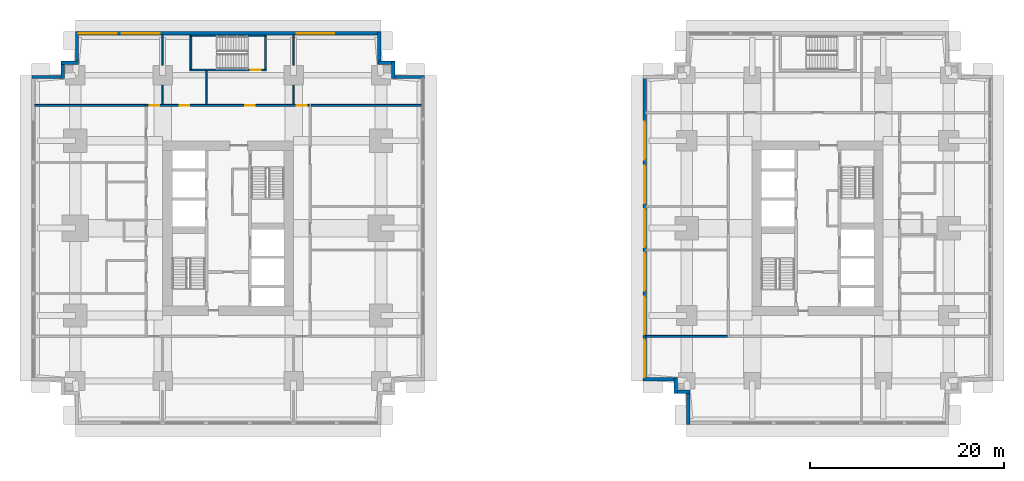
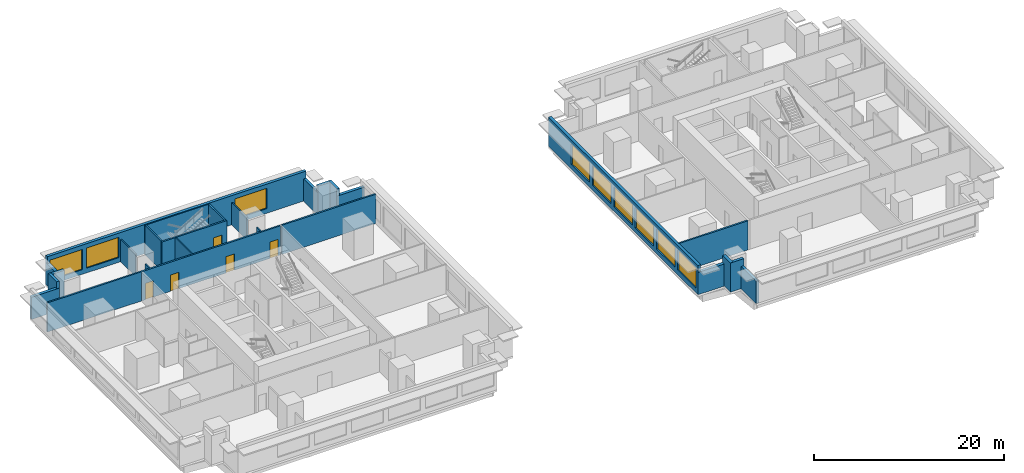
# One storey, part 5 of 11: 27 walls, 9 windows, 5 doors, 14 openings.
"""IFC4 building model written with IfcOpenShell, lengths in metres."""

from ifc_helpers import new_model, si_unit, direction, frame, frame_2d, origin, place, context, subcontext, project, spatial, rectangle, extrude, material, layer, layer_set, type_object, element, fill, save


model = new_model("IFC4")

# Units and contexts
model_context = context("Model", 3, precision=1e-05, world=origin(), true_north=direction((0.0, 1.0)))
body_context = subcontext(model_context, "Body", "Model", "MODEL_VIEW")
ifc_project = project(units=[si_unit("LENGTHUNIT", "METRE"), si_unit("AREAUNIT", "SQUARE_METRE"), si_unit("VOLUMEUNIT", "CUBIC_METRE"), si_unit("PLANEANGLEUNIT", "RADIAN"), si_unit("MASSUNIT", "GRAM", prefix="KILO")], contexts=[model_context])

# Site, building, storey
site_placement = place(None, origin())
site = spatial("IfcSite", under=ifc_project, at=site_placement, CompositionType="ELEMENT")
building_placement = place(site_placement, origin())
building = spatial("IfcBuilding", under=site, at=building_placement, Name="Namib Vertical Campus", CompositionType="ELEMENT")
storey_placement = place(building_placement, frame((0.0, 0.0, 53.0)))
storey = spatial("IfcBuildingStorey", under=building, at=storey_placement, Name="L12", CompositionType="ELEMENT", Elevation=53.0)

# Wall, openings, doors
ifc_material_1 = material(Name="Concrete masonry", Category="masonry")
ifc_layer_1 = layer(ifc_material_1, 0.199951171875)
ifc_layer_set_1 = layer_set([ifc_layer_1], Name="Corridor wall 200")
wall_type_1 = type_object("IfcWallType", Name="Corridor wall 200", PredefinedType="SOLIDWALL", material=ifc_layer_set_1)
wall_1_placement = place(storey_placement, frame((28.60009765625, 32.89990234375, 0.0), z_axis=(0.0, 0.0, 1.0), x_axis=(-1.0, 0.0, 0.0)))
wall_1 = element("IfcWall", 1, at=wall_1_placement, inside=storey, type_object=wall_type_1, Name="Corridor wall A L12 CN", PredefinedType="SOLIDWALL", context=body_context, shape_type="SweptSolid", body=[
    extrude(rectangle(XDim=16.900146484375, YDim=0.199951171875, at=frame_2d((8.4501953125, 0.0))), origin(), (0.0, 0.0, 1.0), 3.75),
])
opening_1_placement = place(wall_1_placement, frame((15.425048828125, 0.0, 0.0)))
opening_1 = element("IfcOpeningElement", 2, at=opening_1_placement, cuts=wall_1, Name="Opening CD1", PredefinedType="OPENING", context=body_context, shape_type="SweptSolid", body=[
    extrude(rectangle(XDim=1.0, YDim=2.10009765625, at=frame_2d((0.5, 1.050048828125))), frame((0.0, 0.10986328125, 0.0), z_axis=(0.0, -1.0, 0.0), x_axis=(1.0, 0.0, 0.0)), (0.0, 0.0, 1.0), 0.219970703125),
])
opening_2_placement = place(wall_1_placement, frame((12.35009765625, 0.0, 0.0)))
opening_2 = element("IfcOpeningElement", 3, at=opening_2_placement, cuts=wall_1, Name="Opening CD1", PredefinedType="OPENING", context=body_context, shape_type="SweptSolid", body=[
    extrude(rectangle(XDim=1.0, YDim=2.10009765625, at=frame_2d((0.5, 1.050048828125))), frame((0.0, 0.10986328125, 0.0), z_axis=(0.0, -1.0, 0.0), x_axis=(1.0, 0.0, 0.0)), (0.0, 0.0, 1.0), 0.219970703125),
])
opening_3_placement = place(wall_1_placement, frame((5.60009765625, 0.0, 0.0)))
opening_3 = element("IfcOpeningElement", 4, at=opening_3_placement, cuts=wall_1, Name="Opening CD1", PredefinedType="OPENING", context=body_context, shape_type="SweptSolid", body=[
    extrude(rectangle(XDim=1.0, YDim=2.10009765625, at=frame_2d((0.5, 1.050048828125))), frame((0.0, 0.10986328125, 0.0), z_axis=(0.0, -1.0, 0.0), x_axis=(1.0, 0.0, 0.0)), (0.0, 0.0, 1.0), 0.219970703125),
])
opening_4_placement = place(wall_1_placement, frame((0.27490234375, 0.0, 0.0)))
opening_4 = element("IfcOpeningElement", 5, at=opening_4_placement, cuts=wall_1, Name="Opening CD1", PredefinedType="OPENING", context=body_context, shape_type="SweptSolid", body=[
    extrude(rectangle(XDim=1.0, YDim=2.10009765625, at=frame_2d((0.5, 1.050048828125))), frame((0.0, 0.10986328125, 0.0), z_axis=(0.0, -1.0, 0.0), x_axis=(1.0, 0.0, 0.0)), (0.0, 0.0, 1.0), 0.219970703125),
])
ifc_material_2 = material(Name="Timber fire door leaf", Category="wood")
door_type_1 = type_object("IfcDoorType", Name="Corridor door 1000x2100 20 min", OperationType="SINGLE_SWING_LEFT", PredefinedType="DOOR", material=ifc_material_2)
door_1_placement = place(opening_1_placement, frame((1.0, 0.0, 0.0), z_axis=(0.0, 0.0, 1.0), x_axis=(-1.0, 0.0, 0.0)))
door_1 = element("IfcDoor", 6, at=door_1_placement, inside=storey, type_object=door_type_1, Name="Door CD1 A12-07", OperationType="SINGLE_SWING_RIGHT", OverallHeight=2.10009765625, OverallWidth=1.0, PredefinedType="DOOR", context=body_context, shape_type="SweptSolid", body=[
    extrude(rectangle(XDim=1.0, YDim=2.10009765625, at=frame_2d((0.5, 1.050048828125))), frame((0.0, 0.02490234375, 0.0), z_axis=(0.0, -1.0, 0.0), x_axis=(1.0, 0.0, 0.0)), (0.0, 0.0, 1.0), 0.050048828125),
])
fill(opening_1, door_1)
door_2_placement = place(opening_2_placement, frame((1.0, 0.0, 0.0), z_axis=(0.0, 0.0, 1.0), x_axis=(-1.0, 0.0, 0.0)))
door_2 = element("IfcDoor", 7, at=door_2_placement, inside=storey, type_object=door_type_1, Name="Door CD1 A12-08", OperationType="SINGLE_SWING_RIGHT", OverallHeight=2.10009765625, OverallWidth=1.0, PredefinedType="DOOR", context=body_context, shape_type="SweptSolid", body=[
    extrude(rectangle(XDim=1.0, YDim=2.10009765625, at=frame_2d((0.5, 1.050048828125))), frame((0.0, 0.02490234375, 0.0), z_axis=(0.0, -1.0, 0.0), x_axis=(1.0, 0.0, 0.0)), (0.0, 0.0, 1.0), 0.050048828125),
])
fill(opening_2, door_2)
door_3_placement = place(opening_3_placement, frame((1.0, 0.0, 0.0), z_axis=(0.0, 0.0, 1.0), x_axis=(-1.0, 0.0, 0.0)))
door_3 = element("IfcDoor", 8, at=door_3_placement, inside=storey, type_object=door_type_1, Name="Door CD1 A12-09", OperationType="SINGLE_SWING_RIGHT", OverallHeight=2.10009765625, OverallWidth=1.0, PredefinedType="DOOR", context=body_context, shape_type="SweptSolid", body=[
    extrude(rectangle(XDim=1.0, YDim=2.10009765625, at=frame_2d((0.5, 1.050048828125))), frame((0.0, 0.02490234375, 0.0), z_axis=(0.0, -1.0, 0.0), x_axis=(1.0, 0.0, 0.0)), (0.0, 0.0, 1.0), 0.050048828125),
])
fill(opening_3, door_3)
door_4_placement = place(opening_4_placement, frame((1.0, 0.0, 0.0), z_axis=(0.0, 0.0, 1.0), x_axis=(-1.0, 0.0, 0.0)))
door_4 = element("IfcDoor", 9, at=door_4_placement, inside=storey, type_object=door_type_1, Name="Door CD1 A12-10", OperationType="SINGLE_SWING_LEFT", OverallHeight=2.10009765625, OverallWidth=1.0, PredefinedType="DOOR", context=body_context, shape_type="SweptSolid", body=[
    extrude(rectangle(XDim=1.0, YDim=2.10009765625, at=frame_2d((0.5, 1.050048828125))), frame((0.0, 0.02490234375, 0.0), z_axis=(0.0, -1.0, 0.0), x_axis=(1.0, 0.0, 0.0)), (0.0, 0.0, 1.0), 0.050048828125),
])
fill(opening_4, door_4)

# Walls
for number, where, z_axis, x_axis, name in (
    (10, (0.300048828125, 32.89990234375, 0.0), (0.0, 0.0, 1.0), (1.0, 0.0, 0.0), "Partition A L12 BNW"),
    (11, (28.800048828125, 32.89990234375, 0.0), (0.0, 0.0, 1.0), (1.0, 0.0, 0.0), "Partition A L12 BNE"),
):
    element("IfcWall", number, at=place(storey_placement, frame(where, z_axis=z_axis, x_axis=x_axis)), inside=storey, type_object=wall_type_1, Name=name, PredefinedType="SOLIDWALL", context=body_context, shape_type="SweptSolid", body=[
        extrude(rectangle(XDim=11.39990234375, YDim=0.199951171875, at=frame_2d((5.699951171875, 0.0))), origin(), (0.0, 0.0, 1.0), 3.75),
    ])
wall_2_placement = place(storey_placement, frame((63.300048828125, 9.10009765625, 0.0), z_axis=(0.0, 0.0, 1.0), x_axis=(1.0, 0.0, 0.0)))
element("IfcWall", 12, at=wall_2_placement, inside=storey, type_object=wall_type_1, Name="Partition B L12 BSW", PredefinedType="SOLIDWALL", context=body_context, shape_type="SweptSolid", body=[
    extrude(rectangle(XDim=8.39990234375, YDim=0.199951171875, at=frame_2d((4.199951171875, 0.0))), origin(), (0.0, 0.0, 1.0), 3.75),
])
ifc_material_3 = material(Name="Concrete C40/50", Category="concrete")
ifc_layer_2 = layer(ifc_material_3, 0.35009765625)
ifc_layer_set_2 = layer_set([ifc_layer_2], Name="Concrete C40/50")
wall_type_2 = type_object("IfcWallType", Name="External wall 350 bush-hammered concrete", PredefinedType="STANDARD", material=ifc_layer_set_2)
wall_3_placement = place(storey_placement, frame((40.47998046875, 35.824951171875, 0.0), z_axis=(0.0, 0.0, 1.0), x_axis=(-1.0, 0.0, 0.0)))
element("IfcWall", 13, at=wall_3_placement, inside=storey, type_object=wall_type_2, Name="External wall L12 F07", PredefinedType="STANDARD", context=body_context, shape_type="SweptSolid", body=[
    extrude(rectangle(XDim=3.35986328125, YDim=0.35009765625, at=frame_2d((1.679931640625, 0.0))), origin(), (0.0, 0.0, 1.0), 2.85009765625),
])
for number, where, z_axis, x_axis, name in (
    (14, (37.27490234375, 35.669921875, 0.0), (0.0, 0.0, 1.0), (0.0, 1.0, 0.0), "External wall L12 F08"),
    (15, (37.429931640625, 37.27490234375, 0.0), (0.0, 0.0, 1.0), (-1.0, 0.0, 0.0), "External wall L12 F09"),
):
    element("IfcWall", number, at=place(storey_placement, frame(where, z_axis=z_axis, x_axis=x_axis)), inside=storey, type_object=wall_type_2, Name=name, PredefinedType="STANDARD", context=body_context, shape_type="SweptSolid", body=[
        extrude(rectangle(XDim=1.760009765625, YDim=0.35009765625, at=frame_2d((0.8798828125, 0.0))), origin(), (0.0, 0.0, 1.0), 3.75),
    ])
wall_4_placement = place(storey_placement, frame((35.824951171875, 37.1201171875, 0.0), z_axis=(0.0, 0.0, 1.0), x_axis=(0.0, 1.0, 0.0)))
element("IfcWall", 16, at=wall_4_placement, inside=storey, type_object=wall_type_2, Name="External wall L12 F10", PredefinedType="STANDARD", context=body_context, shape_type="SweptSolid", body=[
    extrude(rectangle(XDim=3.35986328125, YDim=0.35009765625, at=frame_2d((1.679931640625, 0.0))), origin(), (0.0, 0.0, 1.0), 2.85009765625),
])

# Wall, openings, windows
wall_5_placement = place(storey_placement, frame((35.97998046875, 40.324951171875, 0.0), z_axis=(0.0, 0.0, 1.0), x_axis=(-1.0, 0.0, 0.0)))
wall_5 = element("IfcWall", 17, at=wall_5_placement, inside=storey, type_object=wall_type_2, Name="External wall L12 F11", PredefinedType="STANDARD", context=body_context, shape_type="SweptSolid", body=[
    extrude(rectangle(XDim=31.4599609375, YDim=0.35009765625, at=frame_2d((15.72998046875, 0.0))), origin(), (0.0, 0.0, 1.0), 3.75),
])
opening_5_placement = place(wall_5_placement, frame((27.2099609375, 0.0, 0.60009765625)))
opening_5 = element("IfcOpeningElement", 18, at=opening_5_placement, cuts=wall_5, Name="Opening W2", PredefinedType="OPENING", context=body_context, shape_type="SweptSolid", body=[
    extrude(rectangle(XDim=3.89990234375, YDim=2.60009765625, at=frame_2d((1.949951171875, 1.300048828125))), frame((0.0, 0.18505859375, 0.0), z_axis=(0.0, -1.0, 0.0), x_axis=(1.0, 0.0, 0.0)), (0.0, 0.0, 1.0), 0.3701171875),
])
opening_6_placement = place(wall_5_placement, frame((22.780029296875, 0.0, 0.60009765625)))
opening_6 = element("IfcOpeningElement", 19, at=opening_6_placement, cuts=wall_5, Name="Opening W2", PredefinedType="OPENING", context=body_context, shape_type="SweptSolid", body=[
    extrude(rectangle(XDim=3.89990234375, YDim=2.60009765625, at=frame_2d((1.949951171875, 1.300048828125))), frame((0.0, 0.18505859375, 0.0), z_axis=(0.0, -1.0, 0.0), x_axis=(1.0, 0.0, 0.0)), (0.0, 0.0, 1.0), 0.3701171875),
])
opening_7_placement = place(wall_5_placement, frame((4.780029296875, 0.0, 0.60009765625)))
opening_7 = element("IfcOpeningElement", 20, at=opening_7_placement, cuts=wall_5, Name="Opening W2", PredefinedType="OPENING", context=body_context, shape_type="SweptSolid", body=[
    extrude(rectangle(XDim=3.89990234375, YDim=2.60009765625, at=frame_2d((1.949951171875, 1.300048828125))), frame((0.0, 0.18505859375, 0.0), z_axis=(0.0, -1.0, 0.0), x_axis=(1.0, 0.0, 0.0)), (0.0, 0.0, 1.0), 0.3701171875),
])
ifc_material_4 = material(Name="Dark tinted glass in black aluminium frame", Category="aluminium")
window_type = type_object("IfcWindowType", Name="Ribbon window 3900x2600", PartitioningType="SINGLE_PANEL", PredefinedType="WINDOW", material=ifc_material_4)
window_1_placement = place(opening_5_placement, origin())
window_1 = element("IfcWindow", 21, at=window_1_placement, inside=storey, type_object=window_type, Name="Window W2 L12 F11-1", OverallHeight=2.60009765625, OverallWidth=3.89990234375, PartitioningType="SINGLE_PANEL", PredefinedType="WINDOW", context=body_context, shape_type="SweptSolid", body=[
    extrude(rectangle(XDim=3.89990234375, YDim=2.60009765625, at=frame_2d((1.949951171875, 1.300048828125))), frame((0.0, 0.030029296875, 0.0), z_axis=(0.0, -1.0, 0.0), x_axis=(1.0, 0.0, 0.0)), (0.0, 0.0, 1.0), 0.06005859375),
])
fill(opening_5, window_1)
window_2_placement = place(opening_6_placement, origin())
window_2 = element("IfcWindow", 22, at=window_2_placement, inside=storey, type_object=window_type, Name="Window W2 L12 F11-2", OverallHeight=2.60009765625, OverallWidth=3.89990234375, PartitioningType="SINGLE_PANEL", PredefinedType="WINDOW", context=body_context, shape_type="SweptSolid", body=[
    extrude(rectangle(XDim=3.89990234375, YDim=2.60009765625, at=frame_2d((1.949951171875, 1.300048828125))), frame((0.0, 0.030029296875, 0.0), z_axis=(0.0, -1.0, 0.0), x_axis=(1.0, 0.0, 0.0)), (0.0, 0.0, 1.0), 0.06005859375),
])
fill(opening_6, window_2)
window_3_placement = place(opening_7_placement, origin())
window_3 = element("IfcWindow", 23, at=window_3_placement, inside=storey, type_object=window_type, Name="Window W2 L12 F11-6", OverallHeight=2.60009765625, OverallWidth=3.89990234375, PartitioningType="SINGLE_PANEL", PredefinedType="WINDOW", context=body_context, shape_type="SweptSolid", body=[
    extrude(rectangle(XDim=3.89990234375, YDim=2.60009765625, at=frame_2d((1.949951171875, 1.300048828125))), frame((0.0, 0.030029296875, 0.0), z_axis=(0.0, -1.0, 0.0), x_axis=(1.0, 0.0, 0.0)), (0.0, 0.0, 1.0), 0.06005859375),
])
fill(opening_7, window_3)

# Walls
wall_6_placement = place(storey_placement, frame((4.675048828125, 40.47998046875, 0.0), z_axis=(0.0, 0.0, 1.0), x_axis=(0.0, -1.0, 0.0)))
element("IfcWall", 24, at=wall_6_placement, inside=storey, type_object=wall_type_2, Name="External wall L12 F12", PredefinedType="STANDARD", context=body_context, shape_type="SweptSolid", body=[
    extrude(rectangle(XDim=3.35986328125, YDim=0.35009765625, at=frame_2d((1.679931640625, 0.0))), origin(), (0.0, 0.0, 1.0), 2.85009765625),
])
for number, where, z_axis, x_axis, name in (
    (25, (4.830078125, 37.27490234375, 0.0), (0.0, 0.0, 1.0), (-1.0, 0.0, 0.0), "External wall L12 F13"),
    (26, (3.22509765625, 37.429931640625, 0.0), (0.0, 0.0, 1.0), (0.0, -1.0, 0.0), "External wall L12 F14"),
):
    element("IfcWall", number, at=place(storey_placement, frame(where, z_axis=z_axis, x_axis=x_axis)), inside=storey, type_object=wall_type_2, Name=name, PredefinedType="STANDARD", context=body_context, shape_type="SweptSolid", body=[
        extrude(rectangle(XDim=1.760009765625, YDim=0.35009765625, at=frame_2d((0.8798828125, 0.0))), origin(), (0.0, 0.0, 1.0), 3.75),
    ])
wall_7_placement = place(storey_placement, frame((3.3798828125, 35.824951171875, 0.0), z_axis=(0.0, 0.0, 1.0), x_axis=(-1.0, 0.0, 0.0)))
element("IfcWall", 27, at=wall_7_placement, inside=storey, type_object=wall_type_2, Name="External wall L12 F15", PredefinedType="STANDARD", context=body_context, shape_type="SweptSolid", body=[
    extrude(rectangle(XDim=3.35986328125, YDim=0.35009765625, at=frame_2d((1.679931640625, 0.0))), origin(), (0.0, 0.0, 1.0), 2.85009765625),
])

# Wall, openings, windows
wall_8_placement = place(storey_placement, frame((63.175048828125, 35.97998046875, 0.0), z_axis=(0.0, 0.0, 1.0), x_axis=(0.0, -1.0, 0.0)))
wall_8 = element("IfcWall", 28, at=wall_8_placement, inside=storey, type_object=wall_type_2, Name="External wall L12 F16", PredefinedType="STANDARD", context=body_context, shape_type="SweptSolid", body=[
    extrude(rectangle(XDim=31.4599609375, YDim=0.35009765625, at=frame_2d((15.72998046875, 0.0))), origin(), (0.0, 0.0, 1.0), 3.75),
])
opening_8_placement = place(wall_8_placement, frame((27.2099609375, 0.0, 0.60009765625)))
opening_8 = element("IfcOpeningElement", 29, at=opening_8_placement, cuts=wall_8, Name="Opening W2", PredefinedType="OPENING", context=body_context, shape_type="SweptSolid", body=[
    extrude(rectangle(XDim=3.89990234375, YDim=2.60009765625, at=frame_2d((1.949951171875, 1.300048828125))), frame((0.0, 0.18505859375, 0.0), z_axis=(0.0, -1.0, 0.0), x_axis=(1.0, 0.0, 0.0)), (0.0, 0.0, 1.0), 0.3701171875),
])
opening_9_placement = place(wall_8_placement, frame((22.780029296875, 0.0, 0.60009765625)))
opening_9 = element("IfcOpeningElement", 30, at=opening_9_placement, cuts=wall_8, Name="Opening W2", PredefinedType="OPENING", context=body_context, shape_type="SweptSolid", body=[
    extrude(rectangle(XDim=3.89990234375, YDim=2.60009765625, at=frame_2d((1.949951171875, 1.300048828125))), frame((0.0, 0.18505859375, 0.0), z_axis=(0.0, -1.0, 0.0), x_axis=(1.0, 0.0, 0.0)), (0.0, 0.0, 1.0), 0.3701171875),
])
opening_10_placement = place(wall_8_placement, frame((18.280029296875, 0.0, 0.60009765625)))
opening_10 = element("IfcOpeningElement", 31, at=opening_10_placement, cuts=wall_8, Name="Opening W2", PredefinedType="OPENING", context=body_context, shape_type="SweptSolid", body=[
    extrude(rectangle(XDim=3.89990234375, YDim=2.60009765625, at=frame_2d((1.949951171875, 1.300048828125))), frame((0.0, 0.18505859375, 0.0), z_axis=(0.0, -1.0, 0.0), x_axis=(1.0, 0.0, 0.0)), (0.0, 0.0, 1.0), 0.3701171875),
])
opening_11_placement = place(wall_8_placement, frame((13.780029296875, 0.0, 0.60009765625)))
opening_11 = element("IfcOpeningElement", 32, at=opening_11_placement, cuts=wall_8, Name="Opening W2", PredefinedType="OPENING", context=body_context, shape_type="SweptSolid", body=[
    extrude(rectangle(XDim=3.89990234375, YDim=2.60009765625, at=frame_2d((1.949951171875, 1.300048828125))), frame((0.0, 0.18505859375, 0.0), z_axis=(0.0, -1.0, 0.0), x_axis=(1.0, 0.0, 0.0)), (0.0, 0.0, 1.0), 0.3701171875),
])
opening_12_placement = place(wall_8_placement, frame((9.280029296875, 0.0, 0.60009765625)))
opening_12 = element("IfcOpeningElement", 33, at=opening_12_placement, cuts=wall_8, Name="Opening W2", PredefinedType="OPENING", context=body_context, shape_type="SweptSolid", body=[
    extrude(rectangle(XDim=3.89990234375, YDim=2.60009765625, at=frame_2d((1.949951171875, 1.300048828125))), frame((0.0, 0.18505859375, 0.0), z_axis=(0.0, -1.0, 0.0), x_axis=(1.0, 0.0, 0.0)), (0.0, 0.0, 1.0), 0.3701171875),
])
opening_13_placement = place(wall_8_placement, frame((4.780029296875, 0.0, 0.60009765625)))
opening_13 = element("IfcOpeningElement", 34, at=opening_13_placement, cuts=wall_8, Name="Opening W2", PredefinedType="OPENING", context=body_context, shape_type="SweptSolid", body=[
    extrude(rectangle(XDim=3.89990234375, YDim=2.60009765625, at=frame_2d((1.949951171875, 1.300048828125))), frame((0.0, 0.18505859375, 0.0), z_axis=(0.0, -1.0, 0.0), x_axis=(1.0, 0.0, 0.0)), (0.0, 0.0, 1.0), 0.3701171875),
])
window_4_placement = place(opening_8_placement, origin())
window_4 = element("IfcWindow", 35, at=window_4_placement, inside=storey, type_object=window_type, Name="Window W2 L12 F16-1", OverallHeight=2.60009765625, OverallWidth=3.89990234375, PartitioningType="SINGLE_PANEL", PredefinedType="WINDOW", context=body_context, shape_type="SweptSolid", body=[
    extrude(rectangle(XDim=3.89990234375, YDim=2.60009765625, at=frame_2d((1.949951171875, 1.300048828125))), frame((0.0, 0.030029296875, 0.0), z_axis=(0.0, -1.0, 0.0), x_axis=(1.0, 0.0, 0.0)), (0.0, 0.0, 1.0), 0.06005859375),
])
fill(opening_8, window_4)
window_5_placement = place(opening_9_placement, origin())
window_5 = element("IfcWindow", 36, at=window_5_placement, inside=storey, type_object=window_type, Name="Window W2 L12 F16-2", OverallHeight=2.60009765625, OverallWidth=3.89990234375, PartitioningType="SINGLE_PANEL", PredefinedType="WINDOW", context=body_context, shape_type="SweptSolid", body=[
    extrude(rectangle(XDim=3.89990234375, YDim=2.60009765625, at=frame_2d((1.949951171875, 1.300048828125))), frame((0.0, 0.030029296875, 0.0), z_axis=(0.0, -1.0, 0.0), x_axis=(1.0, 0.0, 0.0)), (0.0, 0.0, 1.0), 0.06005859375),
])
fill(opening_9, window_5)
window_6_placement = place(opening_10_placement, origin())
window_6 = element("IfcWindow", 37, at=window_6_placement, inside=storey, type_object=window_type, Name="Window W2 L12 F16-3", OverallHeight=2.60009765625, OverallWidth=3.89990234375, PartitioningType="SINGLE_PANEL", PredefinedType="WINDOW", context=body_context, shape_type="SweptSolid", body=[
    extrude(rectangle(XDim=3.89990234375, YDim=2.60009765625, at=frame_2d((1.949951171875, 1.300048828125))), frame((0.0, 0.030029296875, 0.0), z_axis=(0.0, -1.0, 0.0), x_axis=(1.0, 0.0, 0.0)), (0.0, 0.0, 1.0), 0.06005859375),
])
fill(opening_10, window_6)
window_7_placement = place(opening_11_placement, origin())
window_7 = element("IfcWindow", 38, at=window_7_placement, inside=storey, type_object=window_type, Name="Window W2 L12 F16-4", OverallHeight=2.60009765625, OverallWidth=3.89990234375, PartitioningType="SINGLE_PANEL", PredefinedType="WINDOW", context=body_context, shape_type="SweptSolid", body=[
    extrude(rectangle(XDim=3.89990234375, YDim=2.60009765625, at=frame_2d((1.949951171875, 1.300048828125))), frame((0.0, 0.030029296875, 0.0), z_axis=(0.0, -1.0, 0.0), x_axis=(1.0, 0.0, 0.0)), (0.0, 0.0, 1.0), 0.06005859375),
])
fill(opening_11, window_7)
window_8_placement = place(opening_12_placement, origin())
window_8 = element("IfcWindow", 39, at=window_8_placement, inside=storey, type_object=window_type, Name="Window W2 L12 F16-5", OverallHeight=2.60009765625, OverallWidth=3.89990234375, PartitioningType="SINGLE_PANEL", PredefinedType="WINDOW", context=body_context, shape_type="SweptSolid", body=[
    extrude(rectangle(XDim=3.89990234375, YDim=2.60009765625, at=frame_2d((1.949951171875, 1.300048828125))), frame((0.0, 0.030029296875, 0.0), z_axis=(0.0, -1.0, 0.0), x_axis=(1.0, 0.0, 0.0)), (0.0, 0.0, 1.0), 0.06005859375),
])
fill(opening_12, window_8)
window_9_placement = place(opening_13_placement, origin())
window_9 = element("IfcWindow", 40, at=window_9_placement, inside=storey, type_object=window_type, Name="Window W2 L12 F16-6", OverallHeight=2.60009765625, OverallWidth=3.89990234375, PartitioningType="SINGLE_PANEL", PredefinedType="WINDOW", context=body_context, shape_type="SweptSolid", body=[
    extrude(rectangle(XDim=3.89990234375, YDim=2.60009765625, at=frame_2d((1.949951171875, 1.300048828125))), frame((0.0, 0.030029296875, 0.0), z_axis=(0.0, -1.0, 0.0), x_axis=(1.0, 0.0, 0.0)), (0.0, 0.0, 1.0), 0.06005859375),
])
fill(opening_13, window_9)

# Walls
wall_9_placement = place(storey_placement, frame((63.02001953125, 4.675048828125, 0.0), z_axis=(0.0, 0.0, 1.0), x_axis=(1.0, 0.0, 0.0)))
element("IfcWall", 41, at=wall_9_placement, inside=storey, type_object=wall_type_2, Name="External wall L12 F17", PredefinedType="STANDARD", context=body_context, shape_type="SweptSolid", body=[
    extrude(rectangle(XDim=3.510009765625, YDim=0.35009765625, at=frame_2d((1.7548828125, 0.0))), origin(), (0.0, 0.0, 1.0), 2.85009765625),
])
for number, where, z_axis, x_axis, name in (
    (42, (66.375, 4.830078125, 0.0), (0.0, 0.0, 1.0), (0.0, -1.0, 0.0), "External wall L12 F18"),
    (43, (66.219970703125, 3.375, 0.0), (0.0, 0.0, 1.0), (1.0, 0.0, 0.0), "External wall L12 F19"),
):
    element("IfcWall", number, at=place(storey_placement, frame(where, z_axis=z_axis, x_axis=x_axis)), inside=storey, type_object=wall_type_2, Name=name, PredefinedType="STANDARD", context=body_context, shape_type="SweptSolid", body=[
        extrude(rectangle(XDim=1.610107421875, YDim=0.35009765625, at=frame_2d((0.80517578125, 0.0))), origin(), (0.0, 0.0, 1.0), 3.75),
    ])
wall_10_placement = place(storey_placement, frame((67.675048828125, 3.530029296875, 0.0), z_axis=(0.0, 0.0, 1.0), x_axis=(0.0, -1.0, 0.0)))
element("IfcWall", 44, at=wall_10_placement, inside=storey, type_object=wall_type_2, Name="External wall L12 F20", PredefinedType="STANDARD", context=body_context, shape_type="SweptSolid", body=[
    extrude(rectangle(XDim=3.510009765625, YDim=0.35009765625, at=frame_2d((1.7548828125, 0.0))), origin(), (0.0, 0.0, 1.0), 2.85009765625),
])
ifc_material_5 = material(Name="Gypsum board on steel studs", Category="steel")
ifc_layer_3 = layer(ifc_material_5, 0.14990234375)
ifc_layer_set_3 = layer_set([ifc_layer_3], Name="Gypsum board on steel studs")
wall_type_3 = type_object("IfcWallType", Name="Partition 150", PredefinedType="PARTITIONING", material=ifc_layer_set_3)
wall_11_placement = place(storey_placement, frame((13.5, 33.0, 0.0), z_axis=(0.0, 0.0, 1.0), x_axis=(0.0, 1.0, 0.0)))
element("IfcWall", 45, at=wall_11_placement, inside=storey, type_object=wall_type_3, Name="Partition A L12 PN1", PredefinedType="PARTITIONING", context=body_context, shape_type="SweptSolid", body=[
    extrude(rectangle(XDim=1.97998046875, YDim=0.14990234375, at=frame_2d((0.989990234375, 0.0))), origin(), (0.0, 0.0, 1.0), 2.85009765625),
])
wall_12_placement = place(storey_placement, frame((13.5, 37.02001953125, 0.0), z_axis=(0.0, 0.0, 1.0), x_axis=(0.0, 1.0, 0.0)))
element("IfcWall", 46, at=wall_12_placement, inside=storey, type_object=wall_type_3, Name="Partition A L12 PN1", PredefinedType="PARTITIONING", context=body_context, shape_type="SweptSolid", body=[
    extrude(rectangle(XDim=3.179931640625, YDim=0.14990234375, at=frame_2d((1.58984375, 0.0))), origin(), (0.0, 0.0, 1.0), 2.85009765625),
])
wall_13_placement = place(storey_placement, frame((18.0, 33.0, 0.0), z_axis=(0.0, 0.0, 1.0), x_axis=(0.0, 1.0, 0.0)))
element("IfcWall", 47, at=wall_13_placement, inside=storey, type_object=wall_type_3, Name="Partition A L12 PN2", PredefinedType="PARTITIONING", context=body_context, shape_type="SweptSolid", body=[
    extrude(rectangle(XDim=3.449951171875, YDim=0.14990234375, at=frame_2d((1.72509765625, 0.0))), origin(), (0.0, 0.0, 1.0), 3.75),
])
wall_14_placement = place(storey_placement, frame((27.0, 33.0, 0.0), z_axis=(0.0, 0.0, 1.0), x_axis=(0.0, 1.0, 0.0)))
element("IfcWall", 48, at=wall_14_placement, inside=storey, type_object=wall_type_3, Name="Partition A L12 PN3", PredefinedType="PARTITIONING", context=body_context, shape_type="SweptSolid", body=[
    extrude(rectangle(XDim=1.97998046875, YDim=0.14990234375, at=frame_2d((0.989990234375, 0.0))), origin(), (0.0, 0.0, 1.0), 2.85009765625),
])
wall_15_placement = place(storey_placement, frame((27.0, 37.02001953125, 0.0), z_axis=(0.0, 0.0, 1.0), x_axis=(0.0, 1.0, 0.0)))
element("IfcWall", 49, at=wall_15_placement, inside=storey, type_object=wall_type_3, Name="Partition A L12 PN3", PredefinedType="PARTITIONING", context=body_context, shape_type="SweptSolid", body=[
    extrude(rectangle(XDim=3.179931640625, YDim=0.14990234375, at=frame_2d((1.58984375, 0.0))), origin(), (0.0, 0.0, 1.0), 2.85009765625),
])
ifc_material_6 = material(Name="Concrete C40/50", Category="concrete")
ifc_layer_4 = layer(ifc_material_6, 0.14990234375)
ifc_layer_set_4 = layer_set([ifc_layer_4], Name="Concrete C40/50")
wall_type_4 = type_object("IfcWallType", Name="Stair enclosure wall RC 150", PredefinedType="SOLIDWALL", material=ifc_layer_set_4)
wall_16_placement = place(storey_placement, frame((16.300048828125, 40.074951171875, 0.0), z_axis=(0.0, 0.0, 1.0), x_axis=(1.0, 0.0, 0.0)))
element("IfcWall", 50, at=wall_16_placement, inside=storey, type_object=wall_type_4, Name="Stair enclosure wall A-S3 L12 N", PredefinedType="SOLIDWALL", context=body_context, shape_type="SweptSolid", body=[
    extrude(rectangle(XDim=7.89990234375, YDim=0.14990234375, at=frame_2d((3.949951171875, 0.0))), origin(), (0.0, 0.0, 1.0), 3.75),
])

# Wall, opening, door
ifc_material_7 = material(Name="Concrete C40/50", Category="concrete")
ifc_layer_5 = layer(ifc_material_7, 0.199951171875)
ifc_layer_set_5 = layer_set([ifc_layer_5], Name="Concrete C40/50")
wall_type_5 = type_object("IfcWallType", Name="Stair enclosure wall RC 200", PredefinedType="SOLIDWALL", material=ifc_layer_set_5)
wall_17_placement = place(storey_placement, frame((16.300048828125, 36.550048828125, 0.0), z_axis=(0.0, 0.0, 1.0), x_axis=(1.0, 0.0, 0.0)))
wall_17 = element("IfcWall", 51, at=wall_17_placement, inside=storey, type_object=wall_type_5, Name="Stair enclosure wall A-S3 L12 S", PredefinedType="SOLIDWALL", context=body_context, shape_type="SweptSolid", body=[
    extrude(rectangle(XDim=7.89990234375, YDim=0.199951171875, at=frame_2d((3.949951171875, 0.0))), origin(), (0.0, 0.0, 1.0), 3.75),
])
opening_14_placement = place(wall_17_placement, frame((6.300048828125, 0.0, 0.0)))
opening_14 = element("IfcOpeningElement", 52, at=opening_14_placement, cuts=wall_17, Name="Opening FD1", PredefinedType="OPENING", context=body_context, shape_type="SweptSolid", body=[
    extrude(rectangle(XDim=1.0, YDim=2.10009765625, at=frame_2d((0.5, 1.050048828125))), frame((0.0, 0.10986328125, 0.0), z_axis=(0.0, -1.0, 0.0), x_axis=(1.0, 0.0, 0.0)), (0.0, 0.0, 1.0), 0.219970703125),
])
ifc_material_8 = material(Name="Steel fire door", Category="steel")
door_type_2 = type_object("IfcDoorType", Name="Fire door 1000x2100", OperationType="SINGLE_SWING_RIGHT", PredefinedType="DOOR", material=ifc_material_8)
door_5_placement = place(opening_14_placement, origin())
door_5 = element("IfcDoor", 53, at=door_5_placement, inside=storey, type_object=door_type_2, Name="Stair door FD1 A L12 S3", OperationType="SINGLE_SWING_RIGHT", OverallHeight=2.10009765625, OverallWidth=1.0, PredefinedType="DOOR", context=body_context, shape_type="SweptSolid", body=[
    extrude(rectangle(XDim=1.0, YDim=2.10009765625, at=frame_2d((0.5, 1.050048828125))), frame((0.0, 0.02490234375, 0.0), z_axis=(0.0, -1.0, 0.0), x_axis=(1.0, 0.0, 0.0)), (0.0, 0.0, 1.0), 0.050048828125),
])
fill(opening_14, door_5)

# Walls
for number, where, z_axis, x_axis, name in (
    (54, (16.39990234375, 36.64990234375, 0.0), (0.0, 0.0, 1.0), (0.0, 1.0, 0.0), "Stair enclosure wall A-S3 L12 W"),
    (55, (24.10009765625, 36.64990234375, 0.0), (0.0, 0.0, 1.0), (0.0, 1.0, 0.0), "Stair enclosure wall A-S3 L12 E"),
):
    element("IfcWall", number, at=place(storey_placement, frame(where, z_axis=z_axis, x_axis=x_axis)), inside=storey, type_object=wall_type_5, Name=name, PredefinedType="SOLIDWALL", context=body_context, shape_type="SweptSolid", body=[
        extrude(rectangle(XDim=3.35009765625, YDim=0.199951171875, at=frame_2d((1.675048828125, 0.0))), origin(), (0.0, 0.0, 1.0), 3.75),
    ])

save(model, "model.ifc")
